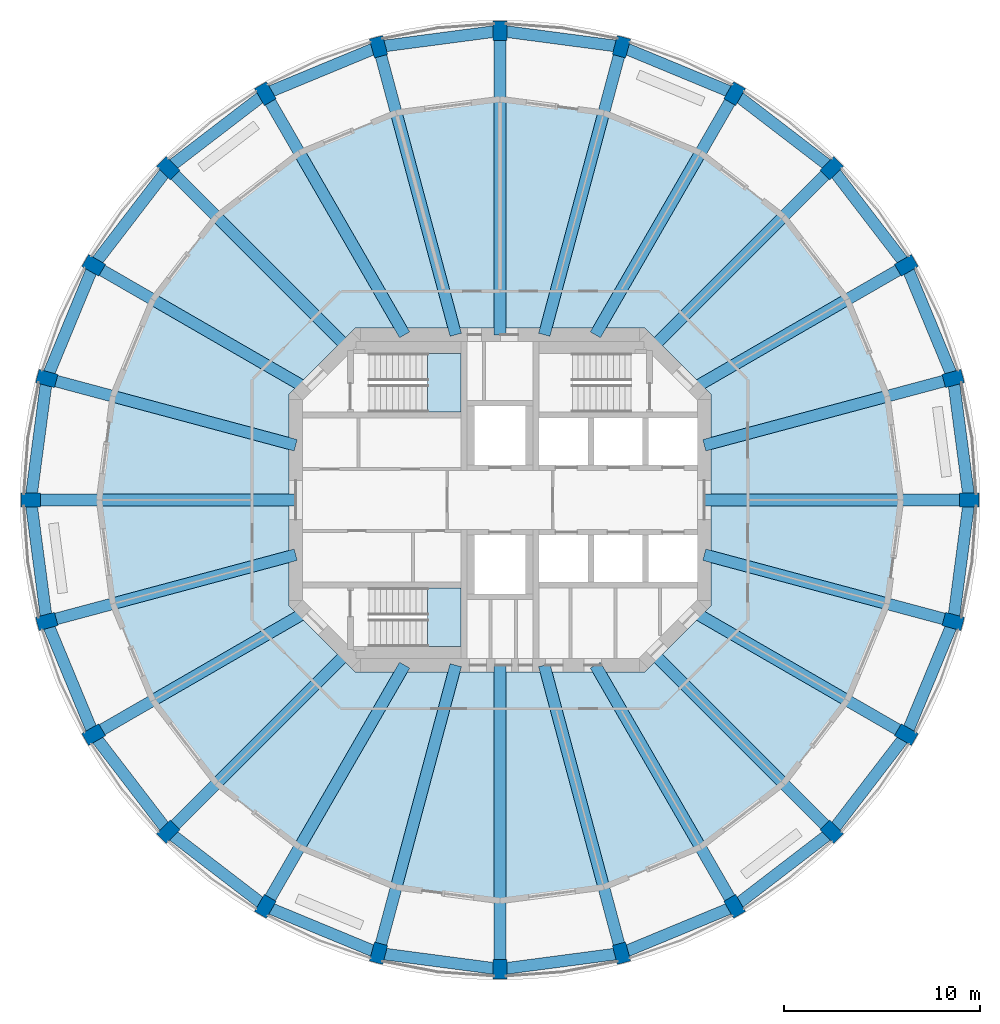
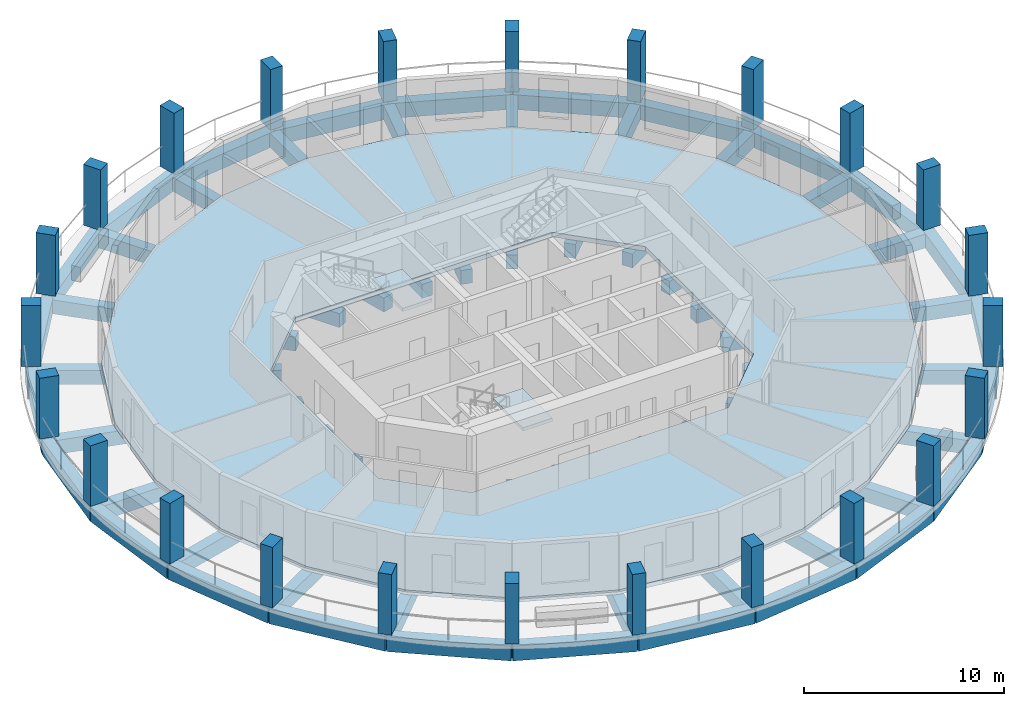
# One storey, part 1 of 9: 48 beams, 24 columns, 3 slabs, 2 elements without a shape of their own.
"""IFC4 building model written with IfcOpenShell, lengths in metres."""

from ifc_helpers import new_model, si_unit, direction, frame, origin, origin_2d, place, context, subcontext, project, spatial, polyline, rectangle, outline, extrude, material, layer, layer_set, material_profile, profile_set, type_object, element, aggregate, save


model = new_model("IFC4")

# Units and contexts
model_context = context("Model", 3, precision=1e-05, world=origin(), true_north=direction((0.0, 1.0)))
body_context = subcontext(model_context, "Body", "Model", "MODEL_VIEW")
ifc_project = project(units=[si_unit("LENGTHUNIT", "METRE"), si_unit("AREAUNIT", "SQUARE_METRE"), si_unit("VOLUMEUNIT", "CUBIC_METRE"), si_unit("PLANEANGLEUNIT", "RADIAN"), si_unit("MASSUNIT", "GRAM", prefix="KILO")], contexts=[model_context])

# Site, building, storey
site_placement = place(None, origin())
site = spatial("IfcSite", under=ifc_project, at=site_placement, CompositionType="ELEMENT")
building_placement = place(site_placement, origin())
building = spatial("IfcBuilding", under=site, at=building_placement, Name="Torre Triforio", CompositionType="ELEMENT")
storey_placement = place(building_placement, frame((0.0, 0.0, 229.800048828125)))
storey = spatial("IfcBuildingStorey", under=building, at=storey_placement, Name="L52", CompositionType="ELEMENT", Elevation=229.800048828125)

# Columns
ifc_material_1 = material(Name="Concrete C50", Category="concrete")
ifc_material_profile_1 = material_profile(ifc_material_1, rectangle(XDim=0.699951171875, YDim=1.0, at=origin_2d()), Name="RC 700x1000")
ifc_profile_set_1 = profile_set([ifc_material_profile_1], Name="Concrete C50")
column_type = type_object("IfcColumnType", Name="Pier RC 700x1000 C50", PredefinedType="COLUMN", material=ifc_profile_set_1)
for number, where, z_axis, x_axis, name in (
    (1, (24.0, 0.0, 0.0), (0.0, 0.0, 1.0), (0.0, 1.0, 0.0), "COL.R.L52.00"),
    (2, (23.18212890625, 6.211669921875, 0.0), (0.0, 0.0, 1.0), (-0.258819045103, 0.965925826289, 0.0), "COL.R.L52.01"),
    (3, (20.78466796875, 12.0, 0.0), (0.0, 0.0, 1.0), (-0.5, 0.866025403784, 0.0), "COL.R.L52.02"),
    (4, (16.970458984375, 16.970458984375, 0.0), (0.0, 0.0, 1.0), (-0.707106781187, 0.707106781187, 0.0), "COL.R.L52.03"),
    (5, (12.0, 20.78466796875, 0.0), (0.0, 0.0, 1.0), (-0.866025403784, 0.5, 0.0), "COL.R.L52.04"),
    (6, (6.211669921875, 23.18212890625, 0.0), (0.0, 0.0, 1.0), (-0.965925826289, 0.258819045103, 0.0), "COL.R.L52.05"),
    (7, (0.0, 24.0, 0.0), (0.0, 0.0, 1.0), (-1.0, 0.0, 0.0), "COL.R.L52.06"),
    (8, (-6.211669921875, 23.18212890625, 0.0), (0.0, 0.0, 1.0), (-0.965925826289, -0.258819045103, 0.0), "COL.R.L52.07"),
    (9, (-12.0, 20.78466796875, 0.0), (0.0, 0.0, 1.0), (-0.866025403784, -0.5, 0.0), "COL.R.L52.08"),
    (10, (-16.970458984375, 16.970458984375, 0.0), (0.0, 0.0, 1.0), (-0.707106781187, -0.707106781187, 0.0), "COL.R.L52.09"),
    (11, (-20.78466796875, 12.0, 0.0), (0.0, 0.0, 1.0), (-0.5, -0.866025403784, 0.0), "COL.R.L52.10"),
    (12, (-23.18212890625, 6.211669921875, 0.0), (0.0, 0.0, 1.0), (-0.258819045103, -0.965925826289, 0.0), "COL.R.L52.11"),
    (13, (-24.0, 0.0, 0.0), (0.0, 0.0, 1.0), (0.0, -1.0, 0.0), "COL.R.L52.12"),
    (14, (-23.18212890625, -6.211669921875, 0.0), (0.0, 0.0, 1.0), (0.258819045103, -0.965925826289, 0.0), "COL.R.L52.13"),
    (15, (-20.78466796875, -12.0, 0.0), (0.0, 0.0, 1.0), (0.5, -0.866025403784, 0.0), "COL.R.L52.14"),
    (16, (-16.970458984375, -16.970458984375, 0.0), (0.0, 0.0, 1.0), (0.707106781187, -0.707106781187, 0.0), "COL.R.L52.15"),
    (17, (-12.0, -20.78466796875, 0.0), (0.0, 0.0, 1.0), (0.866025403784, -0.5, 0.0), "COL.R.L52.16"),
    (18, (-6.211669921875, -23.18212890625, 0.0), (0.0, 0.0, 1.0), (0.965925826289, -0.258819045103, 0.0), "COL.R.L52.17"),
    (19, (0.0, -24.0, 0.0), (0.0, 0.0, 1.0), (1.0, 0.0, 0.0), "COL.R.L52.18"),
    (20, (6.211669921875, -23.18212890625, 0.0), (0.0, 0.0, 1.0), (0.965925826289, 0.258819045103, 0.0), "COL.R.L52.19"),
    (21, (12.0, -20.78466796875, 0.0), (0.0, 0.0, 1.0), (0.866025403784, 0.5, 0.0), "COL.R.L52.20"),
    (22, (16.970458984375, -16.970458984375, 0.0), (0.0, 0.0, 1.0), (0.707106781187, 0.707106781187, 0.0), "COL.R.L52.21"),
    (23, (20.78466796875, -12.0, 0.0), (0.0, 0.0, 1.0), (0.5, 0.866025403784, 0.0), "COL.R.L52.22"),
    (24, (23.18212890625, -6.211669921875, 0.0), (0.0, 0.0, 1.0), (0.258819045103, 0.965925826289, 0.0), "COL.R.L52.23"),
):
    element("IfcColumn", number, at=place(storey_placement, frame(where, z_axis=z_axis, x_axis=x_axis)), inside=storey, type_object=column_type, Name=name, PredefinedType="COLUMN", context=body_context, shape_type="SweptSolid", body=[
        extrude(rectangle(XDim=0.699951171875, YDim=1.0, at=origin_2d()), origin(), (0.0, 0.0, 1.0), 3.699951171875),
    ])

# Beams
ifc_material_2 = material(Name="Concrete C40", Category="concrete")
ifc_material_profile_2 = material_profile(ifc_material_2, rectangle(XDim=0.60009765625, YDim=0.85009765625, at=origin_2d()), Name="RC 600x850")
ifc_profile_set_2 = profile_set([ifc_material_profile_2], Name="Concrete C40")
beam_type_1 = type_object("IfcBeamType", Name="Radial beam RC 600x850 C40", PredefinedType="BEAM", material=ifc_profile_set_2)
beam_1_placement = place(storey_placement, frame((10.449951171875, 0.0, -0.705078125), z_axis=(1.0, 0.0, 0.0), x_axis=(0.0, 1.0, 0.0)))
element("IfcBeam", 25, at=beam_1_placement, inside=storey, type_object=beam_type_1, Name="BM.R.L52.00", PredefinedType="BEAM", context=body_context, shape_type="SweptSolid", body=[
    extrude(rectangle(XDim=0.60009765625, YDim=0.85009765625, at=origin_2d()), origin(), (0.0, 0.0, 1.0), 13.550048828125),
])
beam_2_placement = place(storey_placement, frame((10.449951171875, 2.800048828125, -0.705078125), z_axis=(0.965924985096, 0.258822184459, 0.0), x_axis=(-0.258822184459, 0.965924985096, 0.0)))
element("IfcBeam", 26, at=beam_2_placement, inside=storey, type_object=beam_type_1, Name="BM.R.L52.01", PredefinedType="BEAM", context=body_context, shape_type="SweptSolid", body=[
    extrude(rectangle(XDim=0.60009765625, YDim=0.85009765625, at=origin_2d()), origin(), (0.0, 0.0, 1.0), 13.181396484375),
])
beam_3_placement = place(storey_placement, frame((9.9501953125, 5.744873046875, -0.705078125), z_axis=(0.866030898433, 0.499990482869, 0.0), x_axis=(-0.499990482869, 0.866030898433, 0.0)))
element("IfcBeam", 27, at=beam_3_placement, inside=storey, type_object=beam_type_1, Name="BM.R.L52.02", PredefinedType="BEAM", context=body_context, shape_type="SweptSolid", body=[
    extrude(rectangle(XDim=0.60009765625, YDim=0.85009765625, at=origin_2d()), origin(), (0.0, 0.0, 1.0), 12.510498046875),
])
beam_4_placement = place(storey_placement, frame((7.847412109375, 7.847412109375, -0.705078125), z_axis=(0.707106781187, 0.707106781187, 0.0), x_axis=(-0.707106781187, 0.707106781187, 0.0)))
element("IfcBeam", 28, at=beam_4_placement, inside=storey, type_object=beam_type_1, Name="BM.R.L52.03", PredefinedType="BEAM", context=body_context, shape_type="SweptSolid", body=[
    extrude(rectangle(XDim=0.60009765625, YDim=0.85009765625, at=origin_2d()), origin(), (0.0, 0.0, 1.0), 12.90185546875),
])
beam_5_placement = place(storey_placement, frame((4.878662109375, 8.449951171875, -0.705078125), z_axis=(0.499993987895, 0.866028874847, 0.0), x_axis=(-0.866028874847, 0.499993987895, 0.0)))
element("IfcBeam", 29, at=beam_5_placement, inside=storey, type_object=beam_type_1, Name="BM.R.L52.04", PredefinedType="BEAM", context=body_context, shape_type="SweptSolid", body=[
    extrude(rectangle(XDim=0.60009765625, YDim=0.85009765625, at=origin_2d()), origin(), (0.0, 0.0, 1.0), 14.242919921875),
])
beam_6_placement = place(storey_placement, frame((2.26416015625, 8.449951171875, -0.705078125), z_axis=(0.258821164091, 0.965925258505, 0.0), x_axis=(-0.965925258505, 0.258821164091, 0.0)))
element("IfcBeam", 30, at=beam_6_placement, inside=storey, type_object=beam_type_1, Name="BM.R.L52.05", PredefinedType="BEAM", context=body_context, shape_type="SweptSolid", body=[
    extrude(rectangle(XDim=0.60009765625, YDim=0.85009765625, at=origin_2d()), origin(), (0.0, 0.0, 1.0), 15.251953125),
])
beam_7_placement = place(storey_placement, frame((0.0, 8.449951171875, -0.705078125), z_axis=(0.0, 1.0, 0.0), x_axis=(-1.0, 0.0, 0.0)))
element("IfcBeam", 31, at=beam_7_placement, inside=storey, type_object=beam_type_1, Name="BM.R.L52.06", PredefinedType="BEAM", context=body_context, shape_type="SweptSolid", body=[
    extrude(rectangle(XDim=0.60009765625, YDim=0.85009765625, at=origin_2d()), origin(), (0.0, 0.0, 1.0), 15.550048828125),
])
beam_8_placement = place(storey_placement, frame((-2.26416015625, 8.449951171875, -0.705078125), z_axis=(-0.258821164091, 0.965925258505, 0.0), x_axis=(-0.965925258505, -0.258821164091, 0.0)))
element("IfcBeam", 32, at=beam_8_placement, inside=storey, type_object=beam_type_1, Name="BM.R.L52.07", PredefinedType="BEAM", context=body_context, shape_type="SweptSolid", body=[
    extrude(rectangle(XDim=0.60009765625, YDim=0.85009765625, at=origin_2d()), origin(), (0.0, 0.0, 1.0), 15.251953125),
])
beam_9_placement = place(storey_placement, frame((-4.878662109375, 8.449951171875, -0.705078125), z_axis=(-0.499993987895, 0.866028874847, 0.0), x_axis=(-0.866028874847, -0.499993987895, 0.0)))
element("IfcBeam", 33, at=beam_9_placement, inside=storey, type_object=beam_type_1, Name="BM.R.L52.08", PredefinedType="BEAM", context=body_context, shape_type="SweptSolid", body=[
    extrude(rectangle(XDim=0.60009765625, YDim=0.85009765625, at=origin_2d()), origin(), (0.0, 0.0, 1.0), 14.242919921875),
])
beam_10_placement = place(storey_placement, frame((-7.847412109375, 7.847412109375, -0.705078125), z_axis=(-0.707106781187, 0.707106781187, 0.0), x_axis=(-0.707106781187, -0.707106781187, 0.0)))
element("IfcBeam", 34, at=beam_10_placement, inside=storey, type_object=beam_type_1, Name="BM.R.L52.09", PredefinedType="BEAM", context=body_context, shape_type="SweptSolid", body=[
    extrude(rectangle(XDim=0.60009765625, YDim=0.85009765625, at=origin_2d()), origin(), (0.0, 0.0, 1.0), 12.90185546875),
])
beam_11_placement = place(storey_placement, frame((-9.9501953125, 5.744873046875, -0.705078125), z_axis=(-0.866030898433, 0.499990482869, 0.0), x_axis=(-0.499990482869, -0.866030898433, 0.0)))
element("IfcBeam", 35, at=beam_11_placement, inside=storey, type_object=beam_type_1, Name="BM.R.L52.10", PredefinedType="BEAM", context=body_context, shape_type="SweptSolid", body=[
    extrude(rectangle(XDim=0.60009765625, YDim=0.85009765625, at=origin_2d()), origin(), (0.0, 0.0, 1.0), 12.510498046875),
])
beam_12_placement = place(storey_placement, frame((-10.449951171875, 2.800048828125, -0.705078125), z_axis=(-0.965924985096, 0.258822184459, 0.0), x_axis=(-0.258822184459, -0.965924985096, 0.0)))
element("IfcBeam", 36, at=beam_12_placement, inside=storey, type_object=beam_type_1, Name="BM.R.L52.11", PredefinedType="BEAM", context=body_context, shape_type="SweptSolid", body=[
    extrude(rectangle(XDim=0.60009765625, YDim=0.85009765625, at=origin_2d()), origin(), (0.0, 0.0, 1.0), 13.181396484375),
])
beam_13_placement = place(storey_placement, frame((-10.449951171875, 0.0, -0.705078125), z_axis=(-1.0, 0.0, 0.0), x_axis=(0.0, -1.0, 0.0)))
element("IfcBeam", 37, at=beam_13_placement, inside=storey, type_object=beam_type_1, Name="BM.R.L52.12", PredefinedType="BEAM", context=body_context, shape_type="SweptSolid", body=[
    extrude(rectangle(XDim=0.60009765625, YDim=0.85009765625, at=origin_2d()), origin(), (0.0, 0.0, 1.0), 13.550048828125),
])
beam_14_placement = place(storey_placement, frame((-10.449951171875, -2.800048828125, -0.705078125), z_axis=(-0.965924985096, -0.258822184459, 0.0), x_axis=(0.258822184459, -0.965924985096, 0.0)))
element("IfcBeam", 38, at=beam_14_placement, inside=storey, type_object=beam_type_1, Name="BM.R.L52.13", PredefinedType="BEAM", context=body_context, shape_type="SweptSolid", body=[
    extrude(rectangle(XDim=0.60009765625, YDim=0.85009765625, at=origin_2d()), origin(), (0.0, 0.0, 1.0), 13.181396484375),
])
beam_15_placement = place(storey_placement, frame((-9.9501953125, -5.744873046875, -0.705078125), z_axis=(-0.866030898433, -0.499990482869, 0.0), x_axis=(0.499990482869, -0.866030898433, 0.0)))
element("IfcBeam", 39, at=beam_15_placement, inside=storey, type_object=beam_type_1, Name="BM.R.L52.14", PredefinedType="BEAM", context=body_context, shape_type="SweptSolid", body=[
    extrude(rectangle(XDim=0.60009765625, YDim=0.85009765625, at=origin_2d()), origin(), (0.0, 0.0, 1.0), 12.510498046875),
])
beam_16_placement = place(storey_placement, frame((-7.847412109375, -7.847412109375, -0.705078125), z_axis=(-0.707106781187, -0.707106781187, 0.0), x_axis=(0.707106781187, -0.707106781187, 0.0)))
element("IfcBeam", 40, at=beam_16_placement, inside=storey, type_object=beam_type_1, Name="BM.R.L52.15", PredefinedType="BEAM", context=body_context, shape_type="SweptSolid", body=[
    extrude(rectangle(XDim=0.60009765625, YDim=0.85009765625, at=origin_2d()), origin(), (0.0, 0.0, 1.0), 12.90185546875),
])
beam_17_placement = place(storey_placement, frame((-4.878662109375, -8.449951171875, -0.705078125), z_axis=(-0.499993987895, -0.866028874847, 0.0), x_axis=(0.866028874847, -0.499993987895, 0.0)))
element("IfcBeam", 41, at=beam_17_placement, inside=storey, type_object=beam_type_1, Name="BM.R.L52.16", PredefinedType="BEAM", context=body_context, shape_type="SweptSolid", body=[
    extrude(rectangle(XDim=0.60009765625, YDim=0.85009765625, at=origin_2d()), origin(), (0.0, 0.0, 1.0), 14.242919921875),
])
beam_18_placement = place(storey_placement, frame((-2.26416015625, -8.449951171875, -0.705078125), z_axis=(-0.258821164091, -0.965925258505, 0.0), x_axis=(0.965925258505, -0.258821164091, 0.0)))
element("IfcBeam", 42, at=beam_18_placement, inside=storey, type_object=beam_type_1, Name="BM.R.L52.17", PredefinedType="BEAM", context=body_context, shape_type="SweptSolid", body=[
    extrude(rectangle(XDim=0.60009765625, YDim=0.85009765625, at=origin_2d()), origin(), (0.0, 0.0, 1.0), 15.251953125),
])
beam_19_placement = place(storey_placement, frame((0.0, -8.449951171875, -0.705078125), z_axis=(0.0, -1.0, 0.0), x_axis=(1.0, 0.0, 0.0)))
element("IfcBeam", 43, at=beam_19_placement, inside=storey, type_object=beam_type_1, Name="BM.R.L52.18", PredefinedType="BEAM", context=body_context, shape_type="SweptSolid", body=[
    extrude(rectangle(XDim=0.60009765625, YDim=0.85009765625, at=origin_2d()), origin(), (0.0, 0.0, 1.0), 15.550048828125),
])
beam_20_placement = place(storey_placement, frame((2.26416015625, -8.449951171875, -0.705078125), z_axis=(0.258821164091, -0.965925258505, 0.0), x_axis=(0.965925258505, 0.258821164091, 0.0)))
element("IfcBeam", 44, at=beam_20_placement, inside=storey, type_object=beam_type_1, Name="BM.R.L52.19", PredefinedType="BEAM", context=body_context, shape_type="SweptSolid", body=[
    extrude(rectangle(XDim=0.60009765625, YDim=0.85009765625, at=origin_2d()), origin(), (0.0, 0.0, 1.0), 15.251953125),
])
beam_21_placement = place(storey_placement, frame((4.878662109375, -8.449951171875, -0.705078125), z_axis=(0.499993987895, -0.866028874847, 0.0), x_axis=(0.866028874847, 0.499993987895, 0.0)))
element("IfcBeam", 45, at=beam_21_placement, inside=storey, type_object=beam_type_1, Name="BM.R.L52.20", PredefinedType="BEAM", context=body_context, shape_type="SweptSolid", body=[
    extrude(rectangle(XDim=0.60009765625, YDim=0.85009765625, at=origin_2d()), origin(), (0.0, 0.0, 1.0), 14.242919921875),
])
beam_22_placement = place(storey_placement, frame((7.847412109375, -7.847412109375, -0.705078125), z_axis=(0.707106781187, -0.707106781187, 0.0), x_axis=(0.707106781187, 0.707106781187, 0.0)))
element("IfcBeam", 46, at=beam_22_placement, inside=storey, type_object=beam_type_1, Name="BM.R.L52.21", PredefinedType="BEAM", context=body_context, shape_type="SweptSolid", body=[
    extrude(rectangle(XDim=0.60009765625, YDim=0.85009765625, at=origin_2d()), origin(), (0.0, 0.0, 1.0), 12.90185546875),
])
beam_23_placement = place(storey_placement, frame((9.9501953125, -5.744873046875, -0.705078125), z_axis=(0.866030898433, -0.499990482869, 0.0), x_axis=(0.499990482869, 0.866030898433, 0.0)))
element("IfcBeam", 47, at=beam_23_placement, inside=storey, type_object=beam_type_1, Name="BM.R.L52.22", PredefinedType="BEAM", context=body_context, shape_type="SweptSolid", body=[
    extrude(rectangle(XDim=0.60009765625, YDim=0.85009765625, at=origin_2d()), origin(), (0.0, 0.0, 1.0), 12.510498046875),
])
beam_24_placement = place(storey_placement, frame((10.449951171875, -2.800048828125, -0.705078125), z_axis=(0.965924985096, -0.258822184459, 0.0), x_axis=(0.258822184459, 0.965924985096, 0.0)))
element("IfcBeam", 48, at=beam_24_placement, inside=storey, type_object=beam_type_1, Name="BM.R.L52.23", PredefinedType="BEAM", context=body_context, shape_type="SweptSolid", body=[
    extrude(rectangle(XDim=0.60009765625, YDim=0.85009765625, at=origin_2d()), origin(), (0.0, 0.0, 1.0), 13.181396484375),
])
ifc_material_profile_3 = material_profile(ifc_material_2, rectangle(XDim=0.60009765625, YDim=0.89990234375, at=origin_2d()), Name="RC 600x900")
ifc_profile_set_3 = profile_set([ifc_material_profile_3], Name="Concrete C40")
beam_type_2 = type_object("IfcBeamType", Name="Spandrel beam RC 600x900 C40", PredefinedType="SPANDREL", material=ifc_profile_set_3)
beam_25_placement = place(storey_placement, frame((24.0, 0.0, -0.72998046875), z_axis=(-0.130540192224, 0.991443018138, 0.0), x_axis=(-0.991443018138, -0.130540192224, 0.0)))
element("IfcBeam", 49, at=beam_25_placement, inside=storey, type_object=beam_type_2, Name="BM.S.L52.00", PredefinedType="SPANDREL", context=body_context, shape_type="SweptSolid", body=[
    extrude(rectangle(XDim=0.60009765625, YDim=0.89990234375, at=origin_2d()), origin(), (0.0, 0.0, 1.0), 6.265380859375),
])
beam_26_placement = place(storey_placement, frame((23.18212890625, 6.211669921875, -0.72998046875), z_axis=(-0.382663829839, 0.9238876519, 0.0), x_axis=(-0.9238876519, -0.382663829839, 0.0)))
element("IfcBeam", 50, at=beam_26_placement, inside=storey, type_object=beam_type_2, Name="BM.S.L52.01", PredefinedType="SPANDREL", context=body_context, shape_type="SweptSolid", body=[
    extrude(rectangle(XDim=0.60009765625, YDim=0.89990234375, at=origin_2d()), origin(), (0.0, 0.0, 1.0), 6.26513671875),
])
for number, where, z_axis, x_axis, name in (
    (51, (20.78466796875, 12.0, -0.72998046875), (-0.608785706196, 0.79333471116, 0.0), (-0.79333471116, -0.608785706196, 0.0), "BM.S.L52.02"),
    (52, (16.970458984375, 16.970458984375, -0.72998046875), (-0.79333471116, 0.608785706196, 0.0), (-0.608785706196, -0.79333471116, 0.0), "BM.S.L52.03"),
):
    element("IfcBeam", number, at=place(storey_placement, frame(where, z_axis=z_axis, x_axis=x_axis)), inside=storey, type_object=beam_type_2, Name=name, PredefinedType="SPANDREL", context=body_context, shape_type="SweptSolid", body=[
        extrude(rectangle(XDim=0.60009765625, YDim=0.89990234375, at=origin_2d()), origin(), (0.0, 0.0, 1.0), 6.265380859375),
    ])
beam_27_placement = place(storey_placement, frame((12.0, 20.78466796875, -0.72998046875), z_axis=(-0.9238876519, 0.382663829839, 0.0), x_axis=(-0.382663829839, -0.9238876519, 0.0)))
element("IfcBeam", 53, at=beam_27_placement, inside=storey, type_object=beam_type_2, Name="BM.S.L52.04", PredefinedType="SPANDREL", context=body_context, shape_type="SweptSolid", body=[
    extrude(rectangle(XDim=0.60009765625, YDim=0.89990234375, at=origin_2d()), origin(), (0.0, 0.0, 1.0), 6.26513671875),
])
for number, where, z_axis, x_axis, name in (
    (54, (6.211669921875, 23.18212890625, -0.72998046875), (-0.991443018138, 0.130540192224, 0.0), (-0.130540192224, -0.991443018138, 0.0), "BM.S.L52.05"),
    (55, (0.0, 24.0, -0.72998046875), (-0.991443018138, -0.130540192224, 0.0), (0.130540192224, -0.991443018138, 0.0), "BM.S.L52.06"),
):
    element("IfcBeam", number, at=place(storey_placement, frame(where, z_axis=z_axis, x_axis=x_axis)), inside=storey, type_object=beam_type_2, Name=name, PredefinedType="SPANDREL", context=body_context, shape_type="SweptSolid", body=[
        extrude(rectangle(XDim=0.60009765625, YDim=0.89990234375, at=origin_2d()), origin(), (0.0, 0.0, 1.0), 6.265380859375),
    ])
beam_28_placement = place(storey_placement, frame((-6.211669921875, 23.18212890625, -0.72998046875), z_axis=(-0.9238876519, -0.382663829839, 0.0), x_axis=(0.382663829839, -0.9238876519, 0.0)))
element("IfcBeam", 56, at=beam_28_placement, inside=storey, type_object=beam_type_2, Name="BM.S.L52.07", PredefinedType="SPANDREL", context=body_context, shape_type="SweptSolid", body=[
    extrude(rectangle(XDim=0.60009765625, YDim=0.89990234375, at=origin_2d()), origin(), (0.0, 0.0, 1.0), 6.26513671875),
])
for number, where, z_axis, x_axis, name in (
    (57, (-12.0, 20.78466796875, -0.72998046875), (-0.79333471116, -0.608785706196, 0.0), (0.608785706196, -0.79333471116, 0.0), "BM.S.L52.08"),
    (58, (-16.970458984375, 16.970458984375, -0.72998046875), (-0.608785706196, -0.79333471116, 0.0), (0.79333471116, -0.608785706196, 0.0), "BM.S.L52.09"),
):
    element("IfcBeam", number, at=place(storey_placement, frame(where, z_axis=z_axis, x_axis=x_axis)), inside=storey, type_object=beam_type_2, Name=name, PredefinedType="SPANDREL", context=body_context, shape_type="SweptSolid", body=[
        extrude(rectangle(XDim=0.60009765625, YDim=0.89990234375, at=origin_2d()), origin(), (0.0, 0.0, 1.0), 6.265380859375),
    ])
beam_29_placement = place(storey_placement, frame((-20.78466796875, 12.0, -0.72998046875), z_axis=(-0.382663829839, -0.9238876519, 0.0), x_axis=(0.9238876519, -0.382663829839, 0.0)))
element("IfcBeam", 59, at=beam_29_placement, inside=storey, type_object=beam_type_2, Name="BM.S.L52.10", PredefinedType="SPANDREL", context=body_context, shape_type="SweptSolid", body=[
    extrude(rectangle(XDim=0.60009765625, YDim=0.89990234375, at=origin_2d()), origin(), (0.0, 0.0, 1.0), 6.26513671875),
])
for number, where, z_axis, x_axis, name in (
    (60, (-23.18212890625, 6.211669921875, -0.72998046875), (-0.130540192224, -0.991443018138, 0.0), (0.991443018138, -0.130540192224, 0.0), "BM.S.L52.11"),
    (61, (-24.0, 0.0, -0.72998046875), (0.130540192224, -0.991443018138, 0.0), (0.991443018138, 0.130540192224, 0.0), "BM.S.L52.12"),
):
    element("IfcBeam", number, at=place(storey_placement, frame(where, z_axis=z_axis, x_axis=x_axis)), inside=storey, type_object=beam_type_2, Name=name, PredefinedType="SPANDREL", context=body_context, shape_type="SweptSolid", body=[
        extrude(rectangle(XDim=0.60009765625, YDim=0.89990234375, at=origin_2d()), origin(), (0.0, 0.0, 1.0), 6.265380859375),
    ])
beam_30_placement = place(storey_placement, frame((-23.18212890625, -6.211669921875, -0.72998046875), z_axis=(0.382663829839, -0.9238876519, 0.0), x_axis=(0.9238876519, 0.382663829839, 0.0)))
element("IfcBeam", 62, at=beam_30_placement, inside=storey, type_object=beam_type_2, Name="BM.S.L52.13", PredefinedType="SPANDREL", context=body_context, shape_type="SweptSolid", body=[
    extrude(rectangle(XDim=0.60009765625, YDim=0.89990234375, at=origin_2d()), origin(), (0.0, 0.0, 1.0), 6.26513671875),
])
for number, where, z_axis, x_axis, name in (
    (63, (-20.78466796875, -12.0, -0.72998046875), (0.608785706196, -0.79333471116, 0.0), (0.79333471116, 0.608785706196, 0.0), "BM.S.L52.14"),
    (64, (-16.970458984375, -16.970458984375, -0.72998046875), (0.79333471116, -0.608785706196, 0.0), (0.608785706196, 0.79333471116, 0.0), "BM.S.L52.15"),
):
    element("IfcBeam", number, at=place(storey_placement, frame(where, z_axis=z_axis, x_axis=x_axis)), inside=storey, type_object=beam_type_2, Name=name, PredefinedType="SPANDREL", context=body_context, shape_type="SweptSolid", body=[
        extrude(rectangle(XDim=0.60009765625, YDim=0.89990234375, at=origin_2d()), origin(), (0.0, 0.0, 1.0), 6.265380859375),
    ])
beam_31_placement = place(storey_placement, frame((-12.0, -20.78466796875, -0.72998046875), z_axis=(0.9238876519, -0.382663829839, 0.0), x_axis=(0.382663829839, 0.9238876519, 0.0)))
element("IfcBeam", 65, at=beam_31_placement, inside=storey, type_object=beam_type_2, Name="BM.S.L52.16", PredefinedType="SPANDREL", context=body_context, shape_type="SweptSolid", body=[
    extrude(rectangle(XDim=0.60009765625, YDim=0.89990234375, at=origin_2d()), origin(), (0.0, 0.0, 1.0), 6.26513671875),
])
for number, where, z_axis, x_axis, name in (
    (66, (-6.211669921875, -23.18212890625, -0.72998046875), (0.991443018138, -0.130540192224, 0.0), (0.130540192224, 0.991443018138, 0.0), "BM.S.L52.17"),
    (67, (0.0, -24.0, -0.72998046875), (0.991443018138, 0.130540192224, 0.0), (-0.130540192224, 0.991443018138, 0.0), "BM.S.L52.18"),
):
    element("IfcBeam", number, at=place(storey_placement, frame(where, z_axis=z_axis, x_axis=x_axis)), inside=storey, type_object=beam_type_2, Name=name, PredefinedType="SPANDREL", context=body_context, shape_type="SweptSolid", body=[
        extrude(rectangle(XDim=0.60009765625, YDim=0.89990234375, at=origin_2d()), origin(), (0.0, 0.0, 1.0), 6.265380859375),
    ])
beam_32_placement = place(storey_placement, frame((6.211669921875, -23.18212890625, -0.72998046875), z_axis=(0.9238876519, 0.382663829839, 0.0), x_axis=(-0.382663829839, 0.9238876519, 0.0)))
element("IfcBeam", 68, at=beam_32_placement, inside=storey, type_object=beam_type_2, Name="BM.S.L52.19", PredefinedType="SPANDREL", context=body_context, shape_type="SweptSolid", body=[
    extrude(rectangle(XDim=0.60009765625, YDim=0.89990234375, at=origin_2d()), origin(), (0.0, 0.0, 1.0), 6.26513671875),
])
for number, where, z_axis, x_axis, name in (
    (69, (12.0, -20.78466796875, -0.72998046875), (0.79333471116, 0.608785706196, 0.0), (-0.608785706196, 0.79333471116, 0.0), "BM.S.L52.20"),
    (70, (16.970458984375, -16.970458984375, -0.72998046875), (0.608785706196, 0.79333471116, 0.0), (-0.79333471116, 0.608785706196, 0.0), "BM.S.L52.21"),
):
    element("IfcBeam", number, at=place(storey_placement, frame(where, z_axis=z_axis, x_axis=x_axis)), inside=storey, type_object=beam_type_2, Name=name, PredefinedType="SPANDREL", context=body_context, shape_type="SweptSolid", body=[
        extrude(rectangle(XDim=0.60009765625, YDim=0.89990234375, at=origin_2d()), origin(), (0.0, 0.0, 1.0), 6.265380859375),
    ])
beam_33_placement = place(storey_placement, frame((20.78466796875, -12.0, -0.72998046875), z_axis=(0.382663829839, 0.9238876519, 0.0), x_axis=(-0.9238876519, 0.382663829839, 0.0)))
element("IfcBeam", 71, at=beam_33_placement, inside=storey, type_object=beam_type_2, Name="BM.S.L52.22", PredefinedType="SPANDREL", context=body_context, shape_type="SweptSolid", body=[
    extrude(rectangle(XDim=0.60009765625, YDim=0.89990234375, at=origin_2d()), origin(), (0.0, 0.0, 1.0), 6.26513671875),
])
beam_34_placement = place(storey_placement, frame((23.18212890625, -6.211669921875, -0.72998046875), z_axis=(0.130540192224, 0.991443018138, 0.0), x_axis=(-0.991443018138, 0.130540192224, 0.0)))
element("IfcBeam", 72, at=beam_34_placement, inside=storey, type_object=beam_type_2, Name="BM.S.L52.23", PredefinedType="SPANDREL", context=body_context, shape_type="SweptSolid", body=[
    extrude(rectangle(XDim=0.60009765625, YDim=0.89990234375, at=origin_2d()), origin(), (0.0, 0.0, 1.0), 6.265380859375),
])

# Slab
ifc_layer_1 = layer(ifc_material_2, 0.280029296875)
ifc_layer_set_1 = layer_set([ifc_layer_1], Name="Concrete C40")
slab_type_1 = type_object("IfcSlabType", Name="Floor slab 280 C40", PredefinedType="FLOOR", material=ifc_layer_set_1)
slab_1_placement = place(storey_placement, frame((0.0, 0.0, -0.280029296875)))
element("IfcSlab", 73, at=slab_1_placement, inside=storey, type_object=slab_type_1, Name="SL.L52", PredefinedType="FLOOR", context=body_context, shape_type="SweptSolid", body=[
    extrude(outline(polyline([(17.75341796875, -10.25), (19.801513671875, -5.305908203125), (20.5, 0.0), (19.801513671875, 5.305908203125), (17.75341796875, 10.25), (14.49560546875, 14.49560546875), (10.25, 17.75341796875), (5.305908203125, 19.801513671875), (0.0, 20.5), (-5.305908203125, 19.801513671875), (-10.25, 17.75341796875), (-14.49560546875, 14.49560546875), (-17.75341796875, 10.25), (-19.801513671875, 5.305908203125), (-20.5, 0.0), (-19.801513671875, -5.305908203125), (-17.75341796875, -10.25), (-14.49560546875, -14.49560546875), (-10.25, -17.75341796875), (-5.305908203125, -19.801513671875), (0.0, -20.5), (5.305908203125, -19.801513671875), (10.25, -17.75341796875), (14.49560546875, -14.49560546875), (17.75341796875, -10.25)]), holes=[polyline([(10.800048828125, 5.389892578125), (10.800048828125, -5.389892578125), (7.389892578125, -8.800048828125), (-7.389892578125, -8.800048828125), (-10.800048828125, -5.389892578125), (-10.800048828125, 5.389892578125), (-7.389892578125, 8.800048828125), (7.389892578125, 8.800048828125), (10.800048828125, 5.389892578125)])]), origin(), (0.0, 0.0, 1.0), 0.280029296875),
])

# Stair, slab
stair_type = type_object("IfcStairType", Name="STAIR HALF-TURN", PredefinedType="HALF_TURN_STAIR", material=ifc_material_2)
stair_1_placement = place(storey_placement, origin())
stair_1 = element("IfcStair", 74, at=stair_1_placement, inside=storey, type_object=stair_type, Name="Exit stair 1", PredefinedType="HALF_TURN_STAIR")
ifc_layer_2 = layer(ifc_material_2, 0.199951171875)
ifc_layer_set_2 = layer_set([ifc_layer_2], Name="Concrete C40")
slab_type_2 = type_object("IfcSlabType", Name="STAIR LANDING 200", PredefinedType="LANDING", material=ifc_layer_set_2)
slab_2_placement = place(storey_placement, frame((0.0, 0.0, 1.64990234375)))
slab_2 = element("IfcSlab", 75, at=slab_2_placement, type_object=slab_type_2, Name="ST1 landing 1", PredefinedType="LANDING", context=body_context, shape_type="SweptSolid", body=[
    extrude(outline(polyline([(-2.0, 4.5), (-2.0, 7.5), (-3.699951171875, 7.5), (-3.699951171875, 4.5), (-2.0, 4.5)])), origin(), (0.0, 0.0, 1.0), 0.199951171875),
])
aggregate(stair_1, [slab_2])

stair_2_placement = place(storey_placement, origin())
stair_2 = element("IfcStair", 76, at=stair_2_placement, inside=storey, type_object=stair_type, Name="Exit stair 3", PredefinedType="HALF_TURN_STAIR")
slab_3_placement = place(storey_placement, frame((0.0, 0.0, 1.64990234375)))
slab_3 = element("IfcSlab", 77, at=slab_3_placement, type_object=slab_type_2, Name="ST3 landing 1", PredefinedType="LANDING", context=body_context, shape_type="SweptSolid", body=[
    extrude(outline(polyline([(-2.0, -7.5), (-2.0, -4.5), (-3.699951171875, -4.5), (-3.699951171875, -7.5), (-2.0, -7.5)])), origin(), (0.0, 0.0, 1.0), 0.199951171875),
])
aggregate(stair_2, [slab_3])

save(model, "model.ifc")
